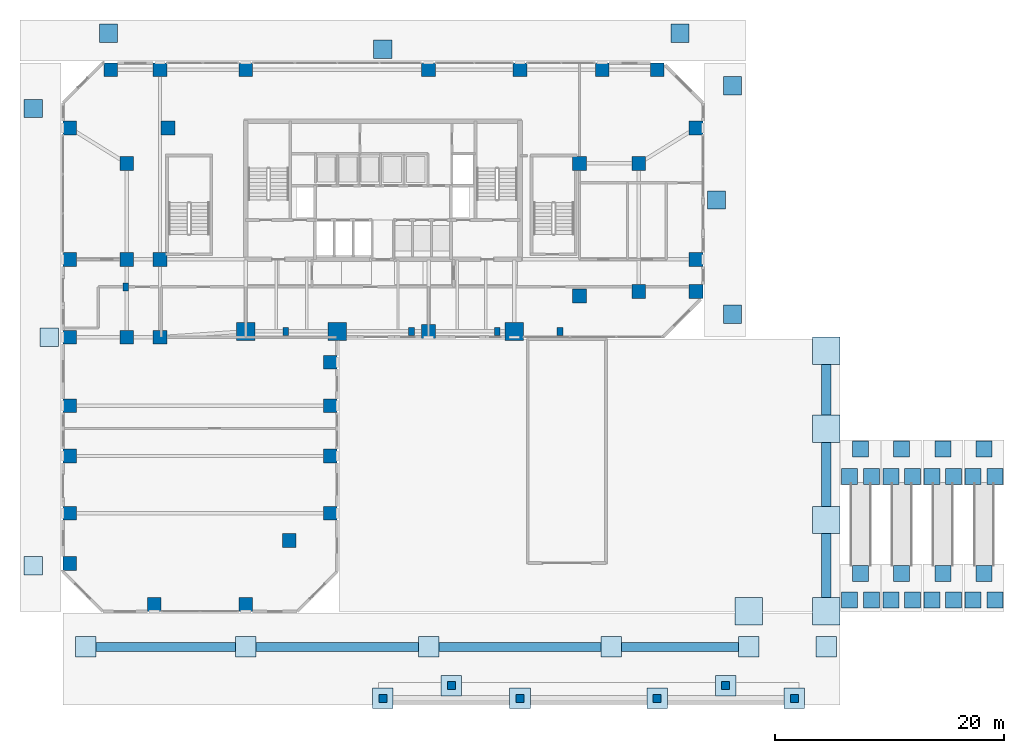
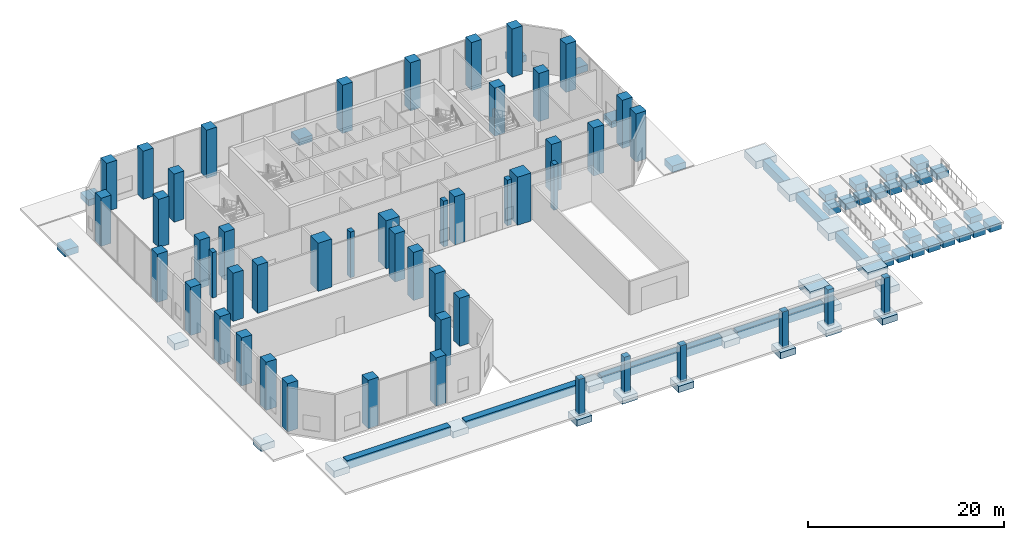
# One storey, part 1 of 26: 57 footings, 49 columns.
"""IFC4 building model written with IfcOpenShell, lengths in metres."""

from ifc_helpers import new_model, si_unit, direction, frame, origin, origin_2d, place, context, subcontext, project, spatial, rectangle, extrude, material, material_profile, profile_set, type_object, element, save


model = new_model("IFC4")

# Units and contexts
model_context = context("Model", 3, precision=1e-05, world=origin(), true_north=direction((0.0, 1.0)))
body_context = subcontext(model_context, "Body", "Model", "MODEL_VIEW")
ifc_project = project(units=[si_unit("LENGTHUNIT", "METRE"), si_unit("AREAUNIT", "SQUARE_METRE"), si_unit("VOLUMEUNIT", "CUBIC_METRE"), si_unit("PLANEANGLEUNIT", "RADIAN"), si_unit("MASSUNIT", "GRAM", prefix="KILO")], contexts=[model_context])

# Site, building, storey
site_placement = place(None, origin())
site = spatial("IfcSite", under=ifc_project, at=site_placement, CompositionType="ELEMENT")
building_placement = place(site_placement, origin())
building = spatial("IfcBuilding", under=site, at=building_placement, Name="Catumbela Crestline Tower", CompositionType="ELEMENT")
storey_placement = place(building_placement, origin())
storey = spatial("IfcBuildingStorey", under=building, at=storey_placement, Name="L00", CompositionType="ELEMENT", Elevation=0.0)

# Footings
ifc_material_1 = material(Name="Concrete C40/50", Category="concrete")
ifc_material_profile_1 = material_profile(ifc_material_1, rectangle(XDim=0.8, YDim=1.1, at=origin_2d()), Name="RC 800x1100")
ifc_profile_set_1 = profile_set([ifc_material_profile_1], Name="Concrete C40/50")
footing_type_1 = type_object("IfcFootingType", Name="FT-GB1", PredefinedType="FOOTING_BEAM", material=ifc_profile_set_1)
footing_1_placement = place(storey_placement, frame((2.9, -3.1, -0.85), z_axis=(1.0, 0.0, 0.0), x_axis=(0.0, 1.0, 0.0)))
element("IfcFooting", 1, at=footing_1_placement, inside=storey, type_object=footing_type_1, Name="Plaza Edge Ground Beam FT-GB-01", PredefinedType="FOOTING_BEAM", context=body_context, shape_type="SweptSolid", body=[
    extrude(rectangle(XDim=0.8, YDim=1.1, at=origin_2d()), origin(), (0.0, 0.0, 1.0), 12.2),
])
for number, where, z_axis, x_axis, name in (
    (2, (16.9, -3.1, -0.85), (1.0, 0.0, 0.0), (0.0, 1.0, 0.0), "Plaza Edge Ground Beam FT-GB-02"),
    (3, (32.9, -3.1, -0.85), (1.0, 0.0, 0.0), (0.0, 1.0, 0.0), "Plaza Edge Ground Beam FT-GB-03"),
):
    element("IfcFooting", number, at=place(storey_placement, frame(where, z_axis=z_axis, x_axis=x_axis)), inside=storey, type_object=footing_type_1, Name=name, PredefinedType="FOOTING_BEAM", context=body_context, shape_type="SweptSolid", body=[
        extrude(rectangle(XDim=0.8, YDim=1.1, at=origin_2d()), origin(), (0.0, 0.0, 1.0), 14.2),
    ])
footing_2_placement = place(storey_placement, frame((48.9, -3.1, -0.85), z_axis=(1.0, 0.0, 0.0), x_axis=(0.0, 1.0, 0.0)))
element("IfcFooting", 4, at=footing_2_placement, inside=storey, type_object=footing_type_1, Name="Plaza Edge Ground Beam FT-GB-04", PredefinedType="FOOTING_BEAM", context=body_context, shape_type="SweptSolid", body=[
    extrude(rectangle(XDim=0.8, YDim=1.1, at=origin_2d()), origin(), (0.0, 0.0, 1.0), 10.2),
])
for number, where, z_axis, x_axis, name in (
    (5, (66.8, 1.2, -0.85), (0.0, 1.0, 0.0), (-1.0, 0.0, 0.0), "Plaza Edge Ground Beam FT-GB-05"),
    (6, (66.8, 9.2, -0.85), (0.0, 1.0, 0.0), (-1.0, 0.0, 0.0), "Plaza Edge Ground Beam FT-GB-06"),
):
    element("IfcFooting", number, at=place(storey_placement, frame(where, z_axis=z_axis, x_axis=x_axis)), inside=storey, type_object=footing_type_1, Name=name, PredefinedType="FOOTING_BEAM", context=body_context, shape_type="SweptSolid", body=[
        extrude(rectangle(XDim=0.8, YDim=1.1, at=origin_2d()), origin(), (0.0, 0.0, 1.0), 5.6),
    ])
footing_3_placement = place(storey_placement, frame((66.8, 17.2, -0.85), z_axis=(0.0, 1.0, 0.0), x_axis=(-1.0, 0.0, 0.0)))
element("IfcFooting", 7, at=footing_3_placement, inside=storey, type_object=footing_type_1, Name="Plaza Edge Ground Beam FT-GB-07", PredefinedType="FOOTING_BEAM", context=body_context, shape_type="SweptSolid", body=[
    extrude(rectangle(XDim=0.8, YDim=1.1, at=origin_2d()), origin(), (0.0, 0.0, 1.0), 4.4),
])
footing_type_2 = type_object("IfcFootingType", Name="FT-P2", PredefinedType="PAD_FOOTING", material=ifc_material_1)
for number, where, z_axis, x_axis, name in (
    (8, (60.0, -3.1, -1.48), (0.0, 0.0, 1.0), (1.0, 0.0, 0.0), "Plaza Pad Footing FT-PAD-06"),
    (9, (66.8, -3.1, -1.48), (0.0, 0.0, 1.0), (1.0, 0.0, 0.0), "Plaza Pad Footing FT-PAD-07"),
    (10, (48.0, -3.1, -1.48), (0.0, 0.0, 1.0), (1.0, 0.0, 0.0), "Plaza Pad Footing FT-PAD-08"),
    (11, (32.0, -3.1, -1.48), (0.0, 0.0, 1.0), (1.0, 0.0, 0.0), "Plaza Pad Footing FT-PAD-09"),
    (12, (16.0, -3.1, -1.48), (0.0, 0.0, 1.0), (1.0, 0.0, 0.0), "Plaza Pad Footing FT-PAD-10"),
    (13, (2.0, -3.1, -1.48), (0.0, 0.0, 1.0), (1.0, 0.0, 0.0), "Plaza Pad Footing FT-PAD-11"),
):
    element("IfcFooting", number, at=place(storey_placement, frame(where, z_axis=z_axis, x_axis=x_axis)), inside=storey, type_object=footing_type_2, Name=name, PredefinedType="PAD_FOOTING", context=body_context, shape_type="SweptSolid", body=[
        extrude(rectangle(XDim=1.8, YDim=1.8, at=origin_2d()), origin(), (0.0, 0.0, 1.0), 0.8),
    ])
for number, where, z_axis, x_axis, name in (
    (14, (-2.6, 4.0, -1.03), (0.0, 0.0, 1.0), (1.0, 0.0, 0.0), "Plaza Pad Footing FT-PAD-20"),
    (15, (-1.2, 24.0, -1.03), (0.0, 0.0, 1.0), (1.0, 0.0, 0.0), "Plaza Pad Footing FT-PAD-21"),
    (16, (-2.6, 44.0, -1.03), (0.0, 0.0, 1.0), (1.0, 0.0, 0.0), "Plaza Pad Footing FT-PAD-22"),
    (17, (4.0, 50.6, -1.03), (0.0, 0.0, 1.0), (1.0, 0.0, 0.0), "Plaza Pad Footing FT-PAD-23"),
    (18, (28.0, 49.2, -1.03), (0.0, 0.0, 1.0), (1.0, 0.0, 0.0), "Plaza Pad Footing FT-PAD-24"),
    (19, (54.0, 50.6, -1.03), (0.0, 0.0, 1.0), (1.0, 0.0, 0.0), "Plaza Pad Footing FT-PAD-25"),
    (20, (58.6, 26.0, -1.03), (0.0, 0.0, 1.0), (1.0, 0.0, 0.0), "Plaza Pad Footing FT-PAD-26"),
    (21, (57.2, 36.0, -1.03), (0.0, 0.0, 1.0), (1.0, 0.0, 0.0), "Plaza Pad Footing FT-PAD-27"),
    (22, (58.6, 46.0, -1.03), (0.0, 0.0, 1.0), (1.0, 0.0, 0.0), "Plaza Pad Footing FT-PAD-28"),
):
    element("IfcFooting", number, at=place(storey_placement, frame(where, z_axis=z_axis, x_axis=x_axis)), inside=storey, type_object=footing_type_2, Name=name, PredefinedType="PAD_FOOTING", context=body_context, shape_type="SweptSolid", body=[
        extrude(rectangle(XDim=1.6, YDim=1.6, at=origin_2d()), origin(), (0.0, 0.0, 1.0), 0.8),
    ])
for number, where, z_axis, x_axis, name in (
    (23, (28.0, -7.6, -1.48), (0.0, 0.0, 1.0), (1.0, 0.0, 0.0), "Plaza Canopy Pad Footing FT-PAD-12"),
    (24, (40.0, -7.6, -1.48), (0.0, 0.0, 1.0), (1.0, 0.0, 0.0), "Plaza Canopy Pad Footing FT-PAD-13"),
    (25, (52.0, -7.6, -1.48), (0.0, 0.0, 1.0), (1.0, 0.0, 0.0), "Plaza Canopy Pad Footing FT-PAD-14"),
    (26, (64.0, -7.6, -1.48), (0.0, 0.0, 1.0), (1.0, 0.0, 0.0), "Plaza Canopy Pad Footing FT-PAD-15"),
    (27, (34.0, -6.5, -1.48), (0.0, 0.0, 1.0), (1.0, 0.0, 0.0), "Plaza Canopy Pad Footing FT-PAD-16"),
    (28, (58.0, -6.5, -1.48), (0.0, 0.0, 1.0), (1.0, 0.0, 0.0), "Plaza Canopy Pad Footing FT-PAD-17"),
):
    element("IfcFooting", number, at=place(storey_placement, frame(where, z_axis=z_axis, x_axis=x_axis)), inside=storey, type_object=footing_type_2, Name=name, PredefinedType="PAD_FOOTING", context=body_context, shape_type="SweptSolid", body=[
        extrude(rectangle(XDim=1.8, YDim=1.8, at=origin_2d()), origin(), (0.0, 0.0, 1.0), 0.8),
    ])
for number, where, z_axis, x_axis, name in (
    (29, (68.85, 1.0, -1.48), (0.0, 0.0, 1.0), (1.0, 0.0, 0.0), "Plaza Ramp 01 Pad Footing BA"),
    (30, (70.75, 1.0, -1.48), (0.0, 0.0, 1.0), (1.0, 0.0, 0.0), "Plaza Ramp 01 Pad Footing BB"),
    (31, (69.8, 3.3, -1.48), (0.0, 0.0, 1.0), (1.0, 0.0, 0.0), "Plaza Ramp 01 Pad Footing BC"),
    (32, (68.85, 11.8, -1.48), (0.0, 0.0, 1.0), (1.0, 0.0, 0.0), "Plaza Ramp 01 Pad Footing TA"),
    (33, (70.75, 11.8, -1.48), (0.0, 0.0, 1.0), (1.0, 0.0, 0.0), "Plaza Ramp 01 Pad Footing TB"),
    (34, (69.8, 14.2, -1.48), (0.0, 0.0, 1.0), (1.0, 0.0, 0.0), "Plaza Ramp 01 Pad Footing TC"),
    (35, (72.45, 1.0, -1.48), (0.0, 0.0, 1.0), (1.0, 0.0, 0.0), "Plaza Ramp 02 Pad Footing BA"),
    (36, (74.35, 1.0, -1.48), (0.0, 0.0, 1.0), (1.0, 0.0, 0.0), "Plaza Ramp 02 Pad Footing BB"),
    (37, (73.4, 3.3, -1.48), (0.0, 0.0, 1.0), (1.0, 0.0, 0.0), "Plaza Ramp 02 Pad Footing BC"),
    (38, (72.45, 11.8, -1.48), (0.0, 0.0, 1.0), (1.0, 0.0, 0.0), "Plaza Ramp 02 Pad Footing TA"),
    (39, (74.35, 11.8, -1.48), (0.0, 0.0, 1.0), (1.0, 0.0, 0.0), "Plaza Ramp 02 Pad Footing TB"),
    (40, (73.4, 14.2, -1.48), (0.0, 0.0, 1.0), (1.0, 0.0, 0.0), "Plaza Ramp 02 Pad Footing TC"),
    (41, (76.05, 1.0, -1.48), (0.0, 0.0, 1.0), (1.0, 0.0, 0.0), "Plaza Ramp 03 Pad Footing BA"),
    (42, (77.95, 1.0, -1.48), (0.0, 0.0, 1.0), (1.0, 0.0, 0.0), "Plaza Ramp 03 Pad Footing BB"),
    (43, (77.0, 3.3, -1.48), (0.0, 0.0, 1.0), (1.0, 0.0, 0.0), "Plaza Ramp 03 Pad Footing BC"),
    (44, (76.05, 11.8, -1.48), (0.0, 0.0, 1.0), (1.0, 0.0, 0.0), "Plaza Ramp 03 Pad Footing TA"),
    (45, (77.95, 11.8, -1.48), (0.0, 0.0, 1.0), (1.0, 0.0, 0.0), "Plaza Ramp 03 Pad Footing TB"),
    (46, (77.0, 14.2, -1.48), (0.0, 0.0, 1.0), (1.0, 0.0, 0.0), "Plaza Ramp 03 Pad Footing TC"),
    (47, (79.65, 1.0, -1.48), (0.0, 0.0, 1.0), (1.0, 0.0, 0.0), "Plaza Ramp 04 Pad Footing BA"),
    (48, (81.55, 1.0, -1.48), (0.0, 0.0, 1.0), (1.0, 0.0, 0.0), "Plaza Ramp 04 Pad Footing BB"),
    (49, (80.6, 3.3, -1.48), (0.0, 0.0, 1.0), (1.0, 0.0, 0.0), "Plaza Ramp 04 Pad Footing BC"),
    (50, (79.65, 11.8, -1.48), (0.0, 0.0, 1.0), (1.0, 0.0, 0.0), "Plaza Ramp 04 Pad Footing TA"),
    (51, (81.55, 11.8, -1.48), (0.0, 0.0, 1.0), (1.0, 0.0, 0.0), "Plaza Ramp 04 Pad Footing TB"),
    (52, (80.6, 14.2, -1.48), (0.0, 0.0, 1.0), (1.0, 0.0, 0.0), "Plaza Ramp 04 Pad Footing TC"),
):
    element("IfcFooting", number, at=place(storey_placement, frame(where, z_axis=z_axis, x_axis=x_axis)), inside=storey, type_object=footing_type_2, Name=name, PredefinedType="PAD_FOOTING", context=body_context, shape_type="SweptSolid", body=[
        extrude(rectangle(XDim=1.4, YDim=1.4, at=origin_2d()), origin(), (0.0, 0.0, 1.0), 0.8),
    ])
footing_type_3 = type_object("IfcFootingType", Name="FT-P1", PredefinedType="PAD_FOOTING", material=ifc_material_1)
for number, where, z_axis, x_axis, name in (
    (53, (60.0, 0.0, -1.13), (0.0, 0.0, 1.0), (1.0, 0.0, 0.0), "Plaza Pad Footing FT-PAD-01"),
    (54, (66.8, 0.0, -1.13), (0.0, 0.0, 1.0), (1.0, 0.0, 0.0), "Plaza Pad Footing FT-PAD-02"),
    (55, (66.8, 8.0, -1.13), (0.0, 0.0, 1.0), (1.0, 0.0, 0.0), "Plaza Pad Footing FT-PAD-03"),
    (56, (66.8, 16.0, -1.13), (0.0, 0.0, 1.0), (1.0, 0.0, 0.0), "Plaza Pad Footing FT-PAD-04"),
    (57, (66.8, 22.8, -1.13), (0.0, 0.0, 1.0), (1.0, 0.0, 0.0), "Plaza Pad Footing FT-PAD-05"),
):
    element("IfcFooting", number, at=place(storey_placement, frame(where, z_axis=z_axis, x_axis=x_axis)), inside=storey, type_object=footing_type_3, Name=name, PredefinedType="PAD_FOOTING", context=body_context, shape_type="SweptSolid", body=[
        extrude(rectangle(XDim=2.4, YDim=2.4, at=origin_2d()), origin(), (0.0, 0.0, 1.0), 0.9),
    ])

# Columns
ifc_material_2 = material(Name="Concrete C45/55", Category="concrete")
ifc_material_profile_2 = material_profile(ifc_material_2, rectangle(XDim=0.7, YDim=0.7, at=origin_2d()), Name="RC 700x700")
ifc_profile_set_2 = profile_set([ifc_material_profile_2], Name="Concrete C45/55")
column_type_1 = type_object("IfcColumnType", Name="CC-700", PredefinedType="COLUMN", material=ifc_profile_set_2)
for number, where, z_axis, x_axis, name in (
    (58, (28.0, -7.6, -0.7), (0.0, 0.0, 1.0), (1.0, 0.0, 0.0), "L00 Waterfront Canopy Column 12"),
    (59, (40.0, -7.6, -0.7), (0.0, 0.0, 1.0), (1.0, 0.0, 0.0), "L00 Waterfront Canopy Column 13"),
    (60, (52.0, -7.6, -0.7), (0.0, 0.0, 1.0), (1.0, 0.0, 0.0), "L00 Waterfront Canopy Column 14"),
    (61, (64.0, -7.6, -0.7), (0.0, 0.0, 1.0), (1.0, 0.0, 0.0), "L00 Waterfront Canopy Column 15"),
    (62, (34.0, -6.5, -0.7), (0.0, 0.0, 1.0), (1.0, 0.0, 0.0), "L00 Waterfront Canopy Column 16"),
    (63, (58.0, -6.5, -0.7), (0.0, 0.0, 1.0), (1.0, 0.0, 0.0), "L00 Waterfront Canopy Column 17"),
):
    element("IfcColumn", number, at=place(storey_placement, frame(where, z_axis=z_axis, x_axis=x_axis)), inside=storey, type_object=column_type_1, Name=name, PredefinedType="COLUMN", context=body_context, shape_type="SweptSolid", body=[
        extrude(rectangle(XDim=0.7, YDim=0.7, at=origin_2d()), origin(), (0.0, 0.0, 1.0), 4.54),
    ])
ifc_material_3 = material(Name="Concrete C50/60", Category="concrete")
ifc_material_profile_3 = material_profile(ifc_material_3, rectangle(XDim=0.5, YDim=0.7, at=origin_2d()), Name="RC 500x700")
ifc_profile_set_3 = profile_set([ifc_material_profile_3], Name="Concrete C50/60")
column_type_2 = type_object("IfcColumnType", Name="CP-500", PredefinedType="PILASTER", material=ifc_profile_set_3)
for number, where, z_axis, x_axis, name in (
    (64, (19.5, 24.5, 0.0), (0.0, 0.0, 1.0), (1.0, 0.0, 0.0), "L00 Galleria Architectural Pilaster 16"),
    (65, (30.5, 24.5, 0.0), (0.0, 0.0, 1.0), (1.0, 0.0, 0.0), "L00 Galleria Architectural Pilaster 17"),
    (66, (38.0, 24.5, 0.0), (0.0, 0.0, 1.0), (1.0, 0.0, 0.0), "L00 Galleria Architectural Pilaster 18"),
    (67, (43.5, 24.5, 0.0), (0.0, 0.0, 1.0), (1.0, 0.0, 0.0), "L00 Galleria Architectural Pilaster 19"),
    (68, (5.5, 28.4, 0.0), (0.0, 0.0, 1.0), (1.0, 0.0, 0.0), "L00 Galleria Architectural Pilaster 20"),
):
    element("IfcColumn", number, at=place(storey_placement, frame(where, z_axis=z_axis, x_axis=x_axis)), inside=storey, type_object=column_type_2, Name=name, PredefinedType="PILASTER", context=body_context, shape_type="SweptSolid", body=[
        extrude(rectangle(XDim=0.5, YDim=0.7, at=origin_2d()), origin(), (0.0, 0.0, 1.0), 5.68),
    ])
ifc_material_4 = material(Name="Concrete C60/75", Category="concrete")
ifc_material_profile_4 = material_profile(ifc_material_4, rectangle(XDim=1.2, YDim=1.2, at=origin_2d()), Name="RC 1200x1200")
ifc_profile_set_4 = profile_set([ifc_material_profile_4], Name="Concrete C60/75")
column_type_3 = type_object("IfcColumnType", Name="C-RC1200-C60", PredefinedType="COLUMN", material=ifc_profile_set_4)
for number, where, z_axis, x_axis, name in (
    (69, (8.5, 24.0, 0.0), (0.0, 0.0, 1.0), (1.0, 0.0, 0.0), "L00 Column C-08-24 (RC 1200x1200)"),
    (70, (32.0, 24.5, 0.0), (0.0, 0.0, 1.0), (1.0, 0.0, 0.0), "L00 Column C-32-24 (RC 1200x1200)"),
    (71, (5.6, 24.0, 0.0), (0.0, 0.0, 1.0), (1.0, 0.0, 0.0), "L00 Column C-05-24 (RC 1200x1200)"),
    (72, (5.6, 30.8, 0.0), (0.0, 0.0, 1.0), (1.0, 0.0, 0.0), "L00 Column C-05-31 (RC 1200x1200)"),
    (73, (5.6, 39.2, 0.0), (0.0, 0.0, 1.0), (1.0, 0.0, 0.0), "L00 Column C-05-43 (RC 1200x1200)"),
    (74, (8.5, 30.8, 0.0), (0.0, 0.0, 1.0), (1.0, 0.0, 0.0), "L00 Column C-08-31 (RC 1200x1200)"),
    (75, (9.2, 42.3, 0.0), (0.0, 0.0, 1.0), (1.0, 0.0, 0.0), "L00 Column C-08-43 (RC 1200x1200)"),
    (76, (45.2, 27.6, 0.0), (0.0, 0.0, 1.0), (1.0, 0.0, 0.0), "L00 Column C-46-24 (RC 1200x1200)"),
    (77, (45.2, 39.2, 0.0), (0.0, 0.0, 1.0), (1.0, 0.0, 0.0), "L00 Column C-46-43 (RC 1200x1200)"),
    (78, (0.6, 24.0, 0.0), (0.0, 0.0, 1.0), (1.0, 0.0, 0.0), "L00 Column C-00-24 (RC 1200x1200)"),
    (79, (0.6, 30.8, 0.0), (0.0, 0.0, 1.0), (1.0, 0.0, 0.0), "L00 Column C-00-31 (RC 1200x1200)"),
    (80, (0.6, 42.3, 0.0), (0.0, 0.0, 1.0), (1.0, 0.0, 0.0), "L00 Column C-00-43 (RC 1200x1200)"),
    (81, (4.2, 47.4, 0.0), (0.0, 0.0, 1.0), (1.0, 0.0, 0.0), "L00 Column C-00-48 (RC 1200x1200)"),
    (82, (8.5, 47.4, 0.0), (0.0, 0.0, 1.0), (1.0, 0.0, 0.0), "L00 Column C-08-48 (RC 1200x1200)"),
    (83, (16.0, 47.4, 0.0), (0.0, 0.0, 1.0), (1.0, 0.0, 0.0), "L00 Column C-16-48 (RC 1200x1200)"),
    (84, (32.0, 47.4, 0.0), (0.0, 0.0, 1.0), (1.0, 0.0, 0.0), "L00 Column C-32-48 (RC 1200x1200)"),
    (85, (40.0, 47.4, 0.0), (0.0, 0.0, 1.0), (1.0, 0.0, 0.0), "L00 Column C-40-48 (RC 1200x1200)"),
    (86, (47.2, 47.4, 0.0), (0.0, 0.0, 1.0), (1.0, 0.0, 0.0), "L00 Column C-48-48 (RC 1200x1200)"),
    (87, (50.4, 28.0, 0.0), (0.0, 0.0, 1.0), (1.0, 0.0, 0.0), "L00 Column C-51-24 (RC 1200x1200)"),
    (88, (50.4, 39.2, 0.0), (0.0, 0.0, 1.0), (1.0, 0.0, 0.0), "L00 Column C-51-43 (RC 1200x1200)"),
    (89, (55.4, 28.0, 0.0), (0.0, 0.0, 1.0), (1.0, 0.0, 0.0), "L00 Column C-56-24 (RC 1200x1200)"),
    (90, (55.4, 30.8, 0.0), (0.0, 0.0, 1.0), (1.0, 0.0, 0.0), "L00 Column C-56-31 (RC 1200x1200)"),
    (91, (55.4, 42.3, 0.0), (0.0, 0.0, 1.0), (1.0, 0.0, 0.0), "L00 Column C-56-43 (RC 1200x1200)"),
    (92, (52.0, 47.4, 0.0), (0.0, 0.0, 1.0), (1.0, 0.0, 0.0), "L00 Column C-56-48 (RC 1200x1200)"),
    (93, (0.6, 8.6, 0.0), (0.0, 0.0, 1.0), (1.0, 0.0, 0.0), "L00 Column C-00-05 (RC 1200x1200)"),
    (94, (0.6, 13.6, 0.0), (0.0, 0.0, 1.0), (1.0, 0.0, 0.0), "L00 Column C-00-10 (RC 1200x1200)"),
    (95, (0.6, 18.0, 0.0), (0.0, 0.0, 1.0), (1.0, 0.0, 0.0), "L00 Column C-00-16 (RC 1200x1200)"),
    (96, (0.6, 4.2, 0.0), (0.0, 0.0, 1.0), (1.0, 0.0, 0.0), "L00 Column C-00-03 (RC 1200x1200)"),
    (97, (8.0, 0.6, 0.0), (0.0, 0.0, 1.0), (1.0, 0.0, 0.0), "L00 Column C-08-00 (RC 1200x1200)"),
    (98, (16.0, 0.6, 0.0), (0.0, 0.0, 1.0), (1.0, 0.0, 0.0), "L00 Column C-16-00 (RC 1200x1200)"),
    (99, (19.8, 6.2, 0.0), (0.0, 0.0, 1.0), (1.0, 0.0, 0.0), "L00 Column C-24-05 (RC 1200x1200)"),
    (100, (23.4, 8.6, 0.0), (0.0, 0.0, 1.0), (1.0, 0.0, 0.0), "L00 Column C-23-08 (RC 1200x1200)"),
    (101, (23.4, 13.6, 0.0), (0.0, 0.0, 1.0), (1.0, 0.0, 0.0), "L00 Column C-24-10 (RC 1200x1200)"),
    (102, (23.4, 18.0, 0.0), (0.0, 0.0, 1.0), (1.0, 0.0, 0.0), "L00 Column C-24-16 (RC 1200x1200)"),
    (103, (23.4, 21.8, 0.0), (0.0, 0.0, 1.0), (1.0, 0.0, 0.0), "L00 Column C-24-21 (RC 1200x1200)"),
):
    element("IfcColumn", number, at=place(storey_placement, frame(where, z_axis=z_axis, x_axis=x_axis)), inside=storey, type_object=column_type_3, Name=name, PredefinedType="COLUMN", context=body_context, shape_type="SweptSolid", body=[
        extrude(rectangle(XDim=1.2, YDim=1.2, at=origin_2d()), origin(), (0.0, 0.0, 1.0), 6.0),
    ])
ifc_material_profile_5 = material_profile(ifc_material_4, rectangle(XDim=1.6, YDim=1.6, at=origin_2d()), Name="RC 1600x1600")
ifc_profile_set_5 = profile_set([ifc_material_profile_5], Name="Concrete C60/75")
column_type_4 = type_object("IfcColumnType", Name="C-RC1600-C60", PredefinedType="COLUMN", material=ifc_profile_set_5)
for number, where, z_axis, x_axis, name in (
    (104, (16.0, 24.5, 0.0), (0.0, 0.0, 1.0), (1.0, 0.0, 0.0), "L00 Column C-16-24 (RC 1600x1600)"),
    (105, (24.0, 24.5, 0.0), (0.0, 0.0, 1.0), (1.0, 0.0, 0.0), "L00 Column C-24-24 (RC 1600x1600)"),
    (106, (39.5, 24.5, 0.0), (0.0, 0.0, 1.0), (1.0, 0.0, 0.0), "L00 Column C-40-24 (RC 1600x1600)"),
):
    element("IfcColumn", number, at=place(storey_placement, frame(where, z_axis=z_axis, x_axis=x_axis)), inside=storey, type_object=column_type_4, Name=name, PredefinedType="COLUMN", context=body_context, shape_type="SweptSolid", body=[
        extrude(rectangle(XDim=1.6, YDim=1.6, at=origin_2d()), origin(), (0.0, 0.0, 1.0), 6.0),
    ])

save(model, "model.ifc")
